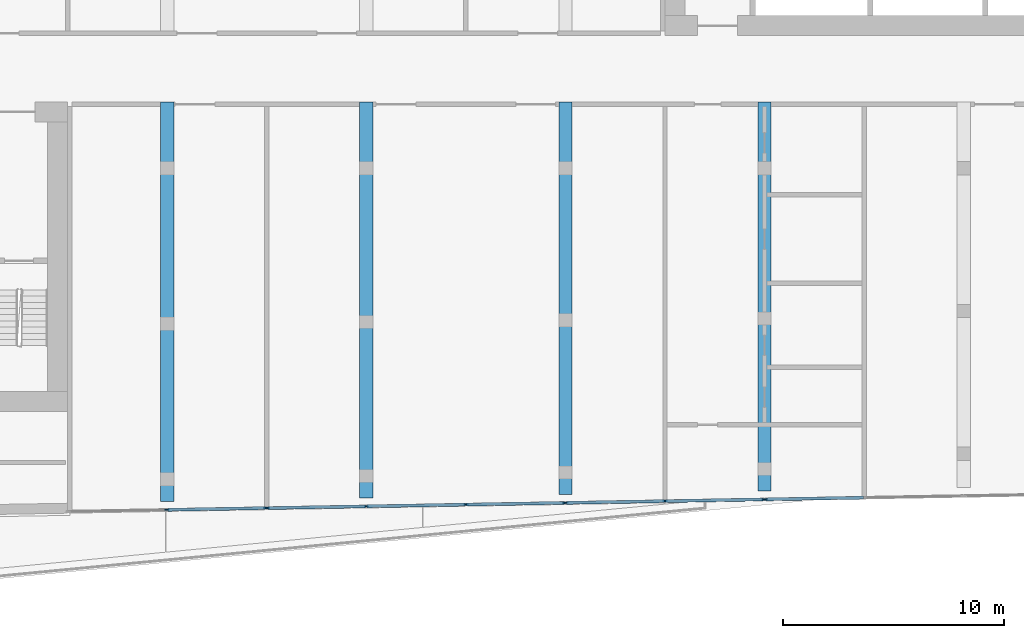
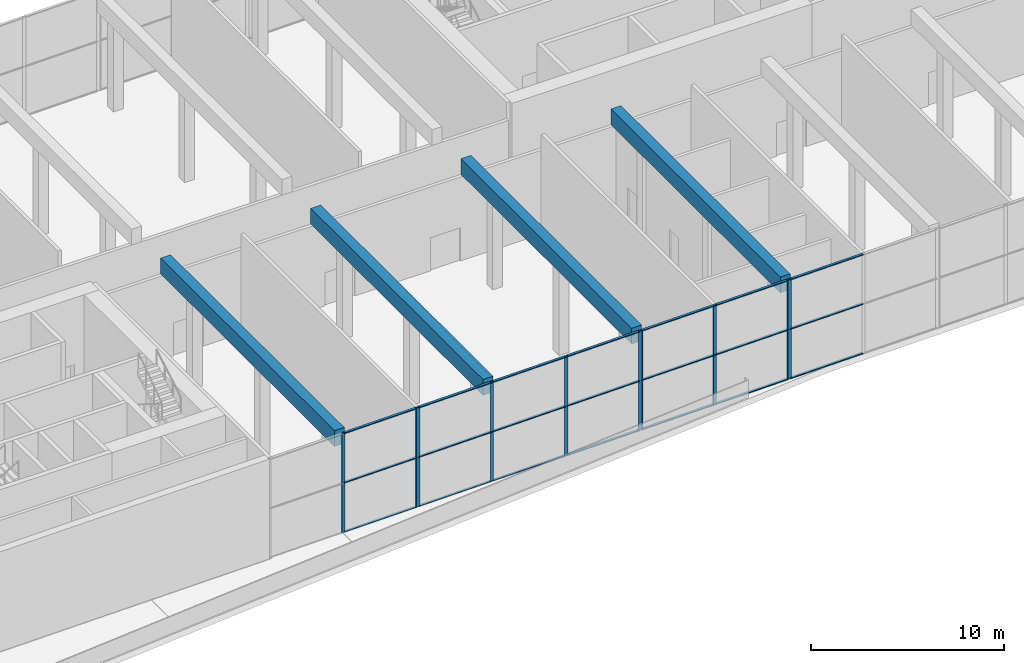
# One storey, part 4 of 24: 31 members, 4 beams, 4 elements without a shape of their own.
"""IFC4 building model written with IfcOpenShell, lengths in metres."""

from ifc_helpers import new_model, si_unit, direction, frame, origin, origin_2d, place, context, subcontext, project, spatial, rectangle, extrude, material, material_profile, profile_set, type_object, element, aggregate, save


model = new_model("IFC4")

# Units and contexts
model_context = context("Model", 3, precision=1e-05, world=origin(), true_north=direction((0.0, 1.0)))
body_context = subcontext(model_context, "Body", "Model", "MODEL_VIEW")
ifc_project = project(units=[si_unit("LENGTHUNIT", "METRE"), si_unit("AREAUNIT", "SQUARE_METRE"), si_unit("VOLUMEUNIT", "CUBIC_METRE"), si_unit("PLANEANGLEUNIT", "RADIAN"), si_unit("MASSUNIT", "GRAM", prefix="KILO")], contexts=[model_context])

# Site, building, storey
site_placement = place(None, origin())
site = spatial("IfcSite", under=ifc_project, at=site_placement, CompositionType="ELEMENT")
building_placement = place(site_placement, origin())
building = spatial("IfcBuilding", under=site, at=building_placement, Name="Kajstack Hotel Tower", CompositionType="ELEMENT")
storey_placement = place(building_placement, frame((0.0, 0.0, 211.10009765625)))
storey = spatial("IfcBuildingStorey", under=building, at=storey_placement, Name="L51", CompositionType="ELEMENT", Elevation=211.10009765625)

# Curtain wall, members
ifc_material_1 = material(Name="Aluminium-framed curtain wall, low-iron insulated glass", Category="aluminium")
curtain_wall_type = type_object("IfcCurtainWallType", Name="CW-GARDEN", PredefinedType="NOTDEFINED", material=ifc_material_1)
curtain_wall_1_placement = place(storey_placement, origin())
curtain_wall_1 = element("IfcCurtainWall", 1, at=curtain_wall_1_placement, inside=storey, type_object=curtain_wall_type, Name="Curtain wall CU6 L51-04-02-0", PredefinedType="NOTDEFINED")
ifc_material_2 = material(Name="Aluminium", Category="aluminium")
ifc_material_profile_1 = material_profile(ifc_material_2, rectangle(XDim=0.06005859375, YDim=0.199951171875, at=origin_2d()), Name="Aluminium mullion 60 x 200")
ifc_profile_set_1 = profile_set([ifc_material_profile_1], Name="Aluminium")
member_type_1 = type_object("IfcMemberType", Name="CW-M-GARDEN", PredefinedType="MULLION", material=ifc_profile_set_1)
member_1_placement = place(storey_placement, frame((-9.001220703125, -19.937744140625, 0.0), z_axis=(0.0, 0.0, 1.0), x_axis=(-0.017452737319, 0.999847689381, 0.0)))
member_1 = element("IfcMember", 2, at=member_1_placement, type_object=member_type_1, Name="CU6 mullion 2", PredefinedType="MULLION", context=body_context, shape_type="SweptSolid", body=[
    extrude(rectangle(XDim=0.06005859375, YDim=0.199951171875, at=origin_2d()), origin(), (0.0, 0.0, 1.0), 6.31982421875),
])
member_2_placement = place(storey_placement, frame((-4.53125, -19.859619140625, 0.0), z_axis=(0.0, 0.0, 1.0), x_axis=(-0.017452737319, 0.999847689381, 0.0)))
member_2 = element("IfcMember", 3, at=member_2_placement, type_object=member_type_1, Name="CU6 mullion 3", PredefinedType="MULLION", context=body_context, shape_type="SweptSolid", body=[
    extrude(rectangle(XDim=0.06005859375, YDim=0.199951171875, at=origin_2d()), origin(), (0.0, 0.0, 1.0), 6.31982421875),
])

curtain_wall_2_placement = place(storey_placement, origin())
curtain_wall_2 = element("IfcCurtainWall", 4, at=curtain_wall_2_placement, inside=storey, type_object=curtain_wall_type, Name="Curtain wall CU6 L51-04-02-1", PredefinedType="NOTDEFINED")
member_3_placement = place(storey_placement, frame((-4.47119140625, -19.858642578125, 0.0), z_axis=(0.0, 0.0, 1.0), x_axis=(-0.017452830174, 0.99984768776, 0.0)))
member_3 = element("IfcMember", 5, at=member_3_placement, type_object=member_type_1, Name="CU6 mullion 1", PredefinedType="MULLION", context=body_context, shape_type="SweptSolid", body=[
    extrude(rectangle(XDim=0.06005859375, YDim=0.199951171875, at=origin_2d()), origin(), (0.0, 0.0, 1.0), 6.31982421875),
])
member_4_placement = place(storey_placement, frame((-0.001220703125, -19.780517578125, 0.0), z_axis=(0.0, 0.0, 1.0), x_axis=(-0.017452830174, 0.99984768776, 0.0)))
member_4 = element("IfcMember", 6, at=member_4_placement, type_object=member_type_1, Name="CU6 mullion 2", PredefinedType="MULLION", context=body_context, shape_type="SweptSolid", body=[
    extrude(rectangle(XDim=0.06005859375, YDim=0.199951171875, at=origin_2d()), origin(), (0.0, 0.0, 1.0), 6.31982421875),
])
member_5_placement = place(storey_placement, frame((4.49853515625, -19.701904296875, 0.0), z_axis=(0.0, 0.0, 1.0), x_axis=(-0.017452830174, 0.99984768776, 0.0)))
member_5 = element("IfcMember", 7, at=member_5_placement, type_object=member_type_1, Name="CU6 mullion 3", PredefinedType="MULLION", context=body_context, shape_type="SweptSolid", body=[
    extrude(rectangle(XDim=0.06005859375, YDim=0.199951171875, at=origin_2d()), origin(), (0.0, 0.0, 1.0), 6.31982421875),
])
member_6_placement = place(storey_placement, frame((8.96875, -19.6240234375, 0.0), z_axis=(0.0, 0.0, 1.0), x_axis=(-0.017452830174, 0.99984768776, 0.0)))
member_6 = element("IfcMember", 8, at=member_6_placement, type_object=member_type_1, Name="CU6 mullion 4", PredefinedType="MULLION", context=body_context, shape_type="SweptSolid", body=[
    extrude(rectangle(XDim=0.06005859375, YDim=0.199951171875, at=origin_2d()), origin(), (0.0, 0.0, 1.0), 6.31982421875),
])

curtain_wall_3_placement = place(storey_placement, origin())
curtain_wall_3 = element("IfcCurtainWall", 9, at=curtain_wall_3_placement, inside=storey, type_object=curtain_wall_type, Name="Curtain wall CU6 L51-04-02-2", PredefinedType="NOTDEFINED")
member_7_placement = place(storey_placement, frame((9.028564453125, -19.622802734375, 0.0), z_axis=(0.0, 0.0, 1.0), x_axis=(-0.017452737319, 0.999847689381, 0.0)))
member_7 = element("IfcMember", 10, at=member_7_placement, type_object=member_type_1, Name="CU6 mullion 1", PredefinedType="MULLION", context=body_context, shape_type="SweptSolid", body=[
    extrude(rectangle(XDim=0.06005859375, YDim=0.199951171875, at=origin_2d()), origin(), (0.0, 0.0, 1.0), 6.31982421875),
])
member_8_placement = place(storey_placement, frame((13.49853515625, -19.544921875, 0.0), z_axis=(0.0, 0.0, 1.0), x_axis=(-0.017452737319, 0.999847689381, 0.0)))
member_8 = element("IfcMember", 11, at=member_8_placement, type_object=member_type_1, Name="CU6 mullion 2", PredefinedType="MULLION", context=body_context, shape_type="SweptSolid", body=[
    extrude(rectangle(XDim=0.06005859375, YDim=0.199951171875, at=origin_2d()), origin(), (0.0, 0.0, 1.0), 6.31982421875),
])
member_9_placement = place(storey_placement, frame((17.96875, -19.466796875, 0.0), z_axis=(0.0, 0.0, 1.0), x_axis=(-0.017452737319, 0.999847689381, 0.0)))
member_9 = element("IfcMember", 12, at=member_9_placement, type_object=member_type_1, Name="CU6 mullion 3", PredefinedType="MULLION", context=body_context, shape_type="SweptSolid", body=[
    extrude(rectangle(XDim=0.06005859375, YDim=0.199951171875, at=origin_2d()), origin(), (0.0, 0.0, 1.0), 6.31982421875),
])

# Curtain wall, member
curtain_wall_4_placement = place(storey_placement, origin())
curtain_wall_4 = element("IfcCurtainWall", 13, at=curtain_wall_4_placement, inside=storey, type_object=curtain_wall_type, Name="Curtain wall CU6 L51-04-02-3", PredefinedType="NOTDEFINED")
member_10_placement = place(storey_placement, frame((18.028564453125, -19.4658203125, 0.0), z_axis=(0.0, 0.0, 1.0), x_axis=(-0.017452739256, 0.999847689347, 0.0)))
member_10 = element("IfcMember", 14, at=member_10_placement, type_object=member_type_1, Name="CU6 mullion 1", PredefinedType="MULLION", context=body_context, shape_type="SweptSolid", body=[
    extrude(rectangle(XDim=0.06005859375, YDim=0.199951171875, at=origin_2d()), origin(), (0.0, 0.0, 1.0), 6.31982421875),
])

# Member
ifc_material_profile_2 = material_profile(ifc_material_2, rectangle(XDim=0.139892578125, YDim=0.06005859375, at=origin_2d()), Name="Aluminium transom 140 x 60")
ifc_profile_set_2 = profile_set([ifc_material_profile_2], Name="Aluminium")
member_type_2 = type_object("IfcMemberType", Name="CW-T-GARDEN", PredefinedType="USERDEFINED", material=ifc_profile_set_2)
member_11_placement = place(storey_placement, frame((-8.971435546875, -19.93701171875, 0.02978515625), z_axis=(0.999847992775, 0.017435347527, 0.0), x_axis=(-0.017435347527, 0.999847992775, 0.0)))
member_11 = element("IfcMember", 15, at=member_11_placement, type_object=member_type_2, Name="CU6 transom 2.1", ObjectType="TRANSOM", PredefinedType="USERDEFINED", context=body_context, shape_type="SweptSolid", body=[
    extrude(rectangle(XDim=0.139892578125, YDim=0.06005859375, at=origin_2d()), origin(), (0.0, 0.0, 1.0), 4.410888671875),
])

member_12_placement = place(storey_placement, frame((-8.971435546875, -19.93701171875, 3.159912109375), z_axis=(0.999847992775, 0.017435347527, 0.0), x_axis=(-0.017435347527, 0.999847992775, 0.0)))
member_12 = element("IfcMember", 16, at=member_12_placement, type_object=member_type_2, Name="CU6 transom 2.2", ObjectType="TRANSOM", PredefinedType="USERDEFINED", context=body_context, shape_type="SweptSolid", body=[
    extrude(rectangle(XDim=0.139892578125, YDim=0.06005859375, at=origin_2d()), origin(), (0.0, 0.0, 1.0), 4.410888671875),
])

member_13_placement = place(storey_placement, frame((-8.971435546875, -19.93701171875, 6.289794921875), z_axis=(0.999847992775, 0.017435347527, 0.0), x_axis=(-0.017435347527, 0.999847992775, 0.0)))
member_13 = element("IfcMember", 17, at=member_13_placement, type_object=member_type_2, Name="CU6 transom 2.3", ObjectType="TRANSOM", PredefinedType="USERDEFINED", context=body_context, shape_type="SweptSolid", body=[
    extrude(rectangle(XDim=0.139892578125, YDim=0.06005859375, at=origin_2d()), origin(), (0.0, 0.0, 1.0), 4.410888671875),
])

aggregate(curtain_wall_1, [member_1, member_2, member_11, member_12, member_13])

member_14_placement = place(storey_placement, frame((-4.44140625, -19.85791015625, 0.02978515625), z_axis=(0.999847992775, 0.017435347527, 0.0), x_axis=(-0.017435347527, 0.999847992775, 0.0)))
member_14 = element("IfcMember", 18, at=member_14_placement, type_object=member_type_2, Name="CU6 transom 1.1", ObjectType="TRANSOM", PredefinedType="USERDEFINED", context=body_context, shape_type="SweptSolid", body=[
    extrude(rectangle(XDim=0.139892578125, YDim=0.06005859375, at=origin_2d()), origin(), (0.0, 0.0, 1.0), 4.410888671875),
])

member_15_placement = place(storey_placement, frame((-4.44140625, -19.85791015625, 3.159912109375), z_axis=(0.999847992775, 0.017435347527, 0.0), x_axis=(-0.017435347527, 0.999847992775, 0.0)))
member_15 = element("IfcMember", 19, at=member_15_placement, type_object=member_type_2, Name="CU6 transom 1.2", ObjectType="TRANSOM", PredefinedType="USERDEFINED", context=body_context, shape_type="SweptSolid", body=[
    extrude(rectangle(XDim=0.139892578125, YDim=0.06005859375, at=origin_2d()), origin(), (0.0, 0.0, 1.0), 4.410888671875),
])

member_16_placement = place(storey_placement, frame((-4.44140625, -19.85791015625, 6.289794921875), z_axis=(0.999847992775, 0.017435347527, 0.0), x_axis=(-0.017435347527, 0.999847992775, 0.0)))
member_16 = element("IfcMember", 20, at=member_16_placement, type_object=member_type_2, Name="CU6 transom 1.3", ObjectType="TRANSOM", PredefinedType="USERDEFINED", context=body_context, shape_type="SweptSolid", body=[
    extrude(rectangle(XDim=0.139892578125, YDim=0.06005859375, at=origin_2d()), origin(), (0.0, 0.0, 1.0), 4.410888671875),
])

member_17_placement = place(storey_placement, frame((0.028564453125, -19.780029296875, 0.02978515625), z_axis=(0.999847172136, 0.017482344572, 0.0), x_axis=(-0.017482344572, 0.999847172136, 0.0)))
member_17 = element("IfcMember", 21, at=member_17_placement, type_object=member_type_2, Name="CU6 transom 2.1", ObjectType="TRANSOM", PredefinedType="USERDEFINED", context=body_context, shape_type="SweptSolid", body=[
    extrude(rectangle(XDim=0.139892578125, YDim=0.06005859375, at=origin_2d()), origin(), (0.0, 0.0, 1.0), 4.44091796875),
])

member_18_placement = place(storey_placement, frame((0.028564453125, -19.780029296875, 3.159912109375), z_axis=(0.999847172136, 0.017482344572, 0.0), x_axis=(-0.017482344572, 0.999847172136, 0.0)))
member_18 = element("IfcMember", 22, at=member_18_placement, type_object=member_type_2, Name="CU6 transom 2.2", ObjectType="TRANSOM", PredefinedType="USERDEFINED", context=body_context, shape_type="SweptSolid", body=[
    extrude(rectangle(XDim=0.139892578125, YDim=0.06005859375, at=origin_2d()), origin(), (0.0, 0.0, 1.0), 4.44091796875),
])

member_19_placement = place(storey_placement, frame((0.028564453125, -19.780029296875, 6.289794921875), z_axis=(0.999847172136, 0.017482344572, 0.0), x_axis=(-0.017482344572, 0.999847172136, 0.0)))
member_19 = element("IfcMember", 23, at=member_19_placement, type_object=member_type_2, Name="CU6 transom 2.3", ObjectType="TRANSOM", PredefinedType="USERDEFINED", context=body_context, shape_type="SweptSolid", body=[
    extrude(rectangle(XDim=0.139892578125, YDim=0.06005859375, at=origin_2d()), origin(), (0.0, 0.0, 1.0), 4.44091796875),
])

member_20_placement = place(storey_placement, frame((4.528564453125, -19.701416015625, 0.02978515625), z_axis=(0.999847992775, 0.017435347527, 0.0), x_axis=(-0.017435347527, 0.999847992775, 0.0)))
member_20 = element("IfcMember", 24, at=member_20_placement, type_object=member_type_2, Name="CU6 transom 3.1", ObjectType="TRANSOM", PredefinedType="USERDEFINED", context=body_context, shape_type="SweptSolid", body=[
    extrude(rectangle(XDim=0.139892578125, YDim=0.06005859375, at=origin_2d()), origin(), (0.0, 0.0, 1.0), 4.410888671875),
])

member_21_placement = place(storey_placement, frame((4.528564453125, -19.701416015625, 3.159912109375), z_axis=(0.999847992775, 0.017435347527, 0.0), x_axis=(-0.017435347527, 0.999847992775, 0.0)))
member_21 = element("IfcMember", 25, at=member_21_placement, type_object=member_type_2, Name="CU6 transom 3.2", ObjectType="TRANSOM", PredefinedType="USERDEFINED", context=body_context, shape_type="SweptSolid", body=[
    extrude(rectangle(XDim=0.139892578125, YDim=0.06005859375, at=origin_2d()), origin(), (0.0, 0.0, 1.0), 4.410888671875),
])

member_22_placement = place(storey_placement, frame((4.528564453125, -19.701416015625, 6.289794921875), z_axis=(0.999847992775, 0.017435347527, 0.0), x_axis=(-0.017435347527, 0.999847992775, 0.0)))
member_22 = element("IfcMember", 26, at=member_22_placement, type_object=member_type_2, Name="CU6 transom 3.3", ObjectType="TRANSOM", PredefinedType="USERDEFINED", context=body_context, shape_type="SweptSolid", body=[
    extrude(rectangle(XDim=0.139892578125, YDim=0.06005859375, at=origin_2d()), origin(), (0.0, 0.0, 1.0), 4.410888671875),
])

aggregate(curtain_wall_2, [member_3, member_4, member_5, member_6, member_14, member_15, member_16, member_17, member_18, member_19, member_20, member_21, member_22])

member_23_placement = place(storey_placement, frame((9.05859375, -19.622314453125, 0.02978515625), z_axis=(0.999847992775, 0.017435347527, 0.0), x_axis=(-0.017435347527, 0.999847992775, 0.0)))
member_23 = element("IfcMember", 27, at=member_23_placement, type_object=member_type_2, Name="CU6 transom 1.1", ObjectType="TRANSOM", PredefinedType="USERDEFINED", context=body_context, shape_type="SweptSolid", body=[
    extrude(rectangle(XDim=0.139892578125, YDim=0.06005859375, at=origin_2d()), origin(), (0.0, 0.0, 1.0), 4.410888671875),
])

member_24_placement = place(storey_placement, frame((9.05859375, -19.622314453125, 3.159912109375), z_axis=(0.999847992775, 0.017435347527, 0.0), x_axis=(-0.017435347527, 0.999847992775, 0.0)))
member_24 = element("IfcMember", 28, at=member_24_placement, type_object=member_type_2, Name="CU6 transom 1.2", ObjectType="TRANSOM", PredefinedType="USERDEFINED", context=body_context, shape_type="SweptSolid", body=[
    extrude(rectangle(XDim=0.139892578125, YDim=0.06005859375, at=origin_2d()), origin(), (0.0, 0.0, 1.0), 4.410888671875),
])

member_25_placement = place(storey_placement, frame((9.05859375, -19.622314453125, 6.289794921875), z_axis=(0.999847992775, 0.017435347527, 0.0), x_axis=(-0.017435347527, 0.999847992775, 0.0)))
member_25 = element("IfcMember", 29, at=member_25_placement, type_object=member_type_2, Name="CU6 transom 1.3", ObjectType="TRANSOM", PredefinedType="USERDEFINED", context=body_context, shape_type="SweptSolid", body=[
    extrude(rectangle(XDim=0.139892578125, YDim=0.06005859375, at=origin_2d()), origin(), (0.0, 0.0, 1.0), 4.410888671875),
])

member_26_placement = place(storey_placement, frame((13.528564453125, -19.54443359375, 0.02978515625), z_axis=(0.99984702634, 0.01749068093, 0.0), x_axis=(-0.01749068093, 0.99984702634, 0.0)))
member_26 = element("IfcMember", 30, at=member_26_placement, type_object=member_type_2, Name="CU6 transom 2.1", ObjectType="TRANSOM", PredefinedType="USERDEFINED", context=body_context, shape_type="SweptSolid", body=[
    extrude(rectangle(XDim=0.139892578125, YDim=0.06005859375, at=origin_2d()), origin(), (0.0, 0.0, 1.0), 4.410888671875),
])

member_27_placement = place(storey_placement, frame((13.528564453125, -19.54443359375, 3.159912109375), z_axis=(0.99984702634, 0.01749068093, 0.0), x_axis=(-0.01749068093, 0.99984702634, 0.0)))
member_27 = element("IfcMember", 31, at=member_27_placement, type_object=member_type_2, Name="CU6 transom 2.2", ObjectType="TRANSOM", PredefinedType="USERDEFINED", context=body_context, shape_type="SweptSolid", body=[
    extrude(rectangle(XDim=0.139892578125, YDim=0.06005859375, at=origin_2d()), origin(), (0.0, 0.0, 1.0), 4.410888671875),
])

member_28_placement = place(storey_placement, frame((13.528564453125, -19.54443359375, 6.289794921875), z_axis=(0.99984702634, 0.01749068093, 0.0), x_axis=(-0.01749068093, 0.99984702634, 0.0)))
member_28 = element("IfcMember", 32, at=member_28_placement, type_object=member_type_2, Name="CU6 transom 2.3", ObjectType="TRANSOM", PredefinedType="USERDEFINED", context=body_context, shape_type="SweptSolid", body=[
    extrude(rectangle(XDim=0.139892578125, YDim=0.06005859375, at=origin_2d()), origin(), (0.0, 0.0, 1.0), 4.410888671875),
])

aggregate(curtain_wall_3, [member_7, member_8, member_9, member_23, member_24, member_25, member_26, member_27, member_28])

member_29_placement = place(storey_placement, frame((18.05859375, -19.46533203125, 0.02978515625), z_axis=(0.99984702634, 0.01749068093, 0.0), x_axis=(-0.01749068093, 0.99984702634, 0.0)))
member_29 = element("IfcMember", 33, at=member_29_placement, type_object=member_type_2, Name="CU6 transom 1.1", ObjectType="TRANSOM", PredefinedType="USERDEFINED", context=body_context, shape_type="SweptSolid", body=[
    extrude(rectangle(XDim=0.139892578125, YDim=0.06005859375, at=origin_2d()), origin(), (0.0, 0.0, 1.0), 4.410888671875),
])

member_30_placement = place(storey_placement, frame((18.05859375, -19.46533203125, 3.159912109375), z_axis=(0.99984702634, 0.01749068093, 0.0), x_axis=(-0.01749068093, 0.99984702634, 0.0)))
member_30 = element("IfcMember", 34, at=member_30_placement, type_object=member_type_2, Name="CU6 transom 1.2", ObjectType="TRANSOM", PredefinedType="USERDEFINED", context=body_context, shape_type="SweptSolid", body=[
    extrude(rectangle(XDim=0.139892578125, YDim=0.06005859375, at=origin_2d()), origin(), (0.0, 0.0, 1.0), 4.410888671875),
])

member_31_placement = place(storey_placement, frame((18.05859375, -19.46533203125, 6.289794921875), z_axis=(0.99984702634, 0.01749068093, 0.0), x_axis=(-0.01749068093, 0.99984702634, 0.0)))
member_31 = element("IfcMember", 35, at=member_31_placement, type_object=member_type_2, Name="CU6 transom 1.3", ObjectType="TRANSOM", PredefinedType="USERDEFINED", context=body_context, shape_type="SweptSolid", body=[
    extrude(rectangle(XDim=0.139892578125, YDim=0.06005859375, at=origin_2d()), origin(), (0.0, 0.0, 1.0), 4.410888671875),
])

aggregate(curtain_wall_4, [member_10, member_29, member_30, member_31])

# Beams
ifc_material_3 = material(Name="Concrete C60/75", Category="concrete")
ifc_material_profile_3 = material_profile(ifc_material_3, rectangle(XDim=0.60009765625, YDim=1.0, at=origin_2d()), Name="RC 600x1000")
ifc_profile_set_3 = profile_set([ifc_material_profile_3], Name="Concrete C60/75")
beam_type = type_object("IfcBeamType", Name="TG4 RC 600x1000 C60/75", PredefinedType="BEAM", material=ifc_profile_set_3)
beam_1_placement = place(storey_placement, frame((-9.0, -19.5625, 5.81982421875), z_axis=(0.0, 1.0, 0.0), x_axis=(-1.0, 0.0, 0.0)))
element("IfcBeam", 36, at=beam_1_placement, inside=storey, type_object=beam_type, Name="S-girder-L51--9p0-1", PredefinedType="BEAM", context=body_context, shape_type="SweptSolid", body=[
    extrude(rectangle(XDim=0.60009765625, YDim=1.0, at=origin_2d()), origin(), (0.0, 0.0, 1.0), 18.0625),
])
beam_2_placement = place(storey_placement, frame((0.0, -19.405517578125, 5.81982421875), z_axis=(0.0, 1.0, 0.0), x_axis=(-1.0, 0.0, 0.0)))
element("IfcBeam", 37, at=beam_2_placement, inside=storey, type_object=beam_type, Name="S-girder-L51-+0p0-1", PredefinedType="BEAM", context=body_context, shape_type="SweptSolid", body=[
    extrude(rectangle(XDim=0.60009765625, YDim=1.0, at=origin_2d()), origin(), (0.0, 0.0, 1.0), 17.905517578125),
])
beam_3_placement = place(storey_placement, frame((9.0, -19.248291015625, 5.81982421875), z_axis=(0.0, 1.0, 0.0), x_axis=(-1.0, 0.0, 0.0)))
element("IfcBeam", 38, at=beam_3_placement, inside=storey, type_object=beam_type, Name="S-girder-L51-+9p0-1", PredefinedType="BEAM", context=body_context, shape_type="SweptSolid", body=[
    extrude(rectangle(XDim=0.60009765625, YDim=1.0, at=origin_2d()), origin(), (0.0, 0.0, 1.0), 17.748291015625),
])
beam_4_placement = place(storey_placement, frame((18.0, -19.09130859375, 5.81982421875), z_axis=(0.0, 1.0, 0.0), x_axis=(-1.0, 0.0, 0.0)))
element("IfcBeam", 39, at=beam_4_placement, inside=storey, type_object=beam_type, Name="S-girder-L51-+18p0-1", PredefinedType="BEAM", context=body_context, shape_type="SweptSolid", body=[
    extrude(rectangle(XDim=0.60009765625, YDim=1.0, at=origin_2d()), origin(), (0.0, 0.0, 1.0), 17.59130859375),
])

save(model, "model.ifc")
